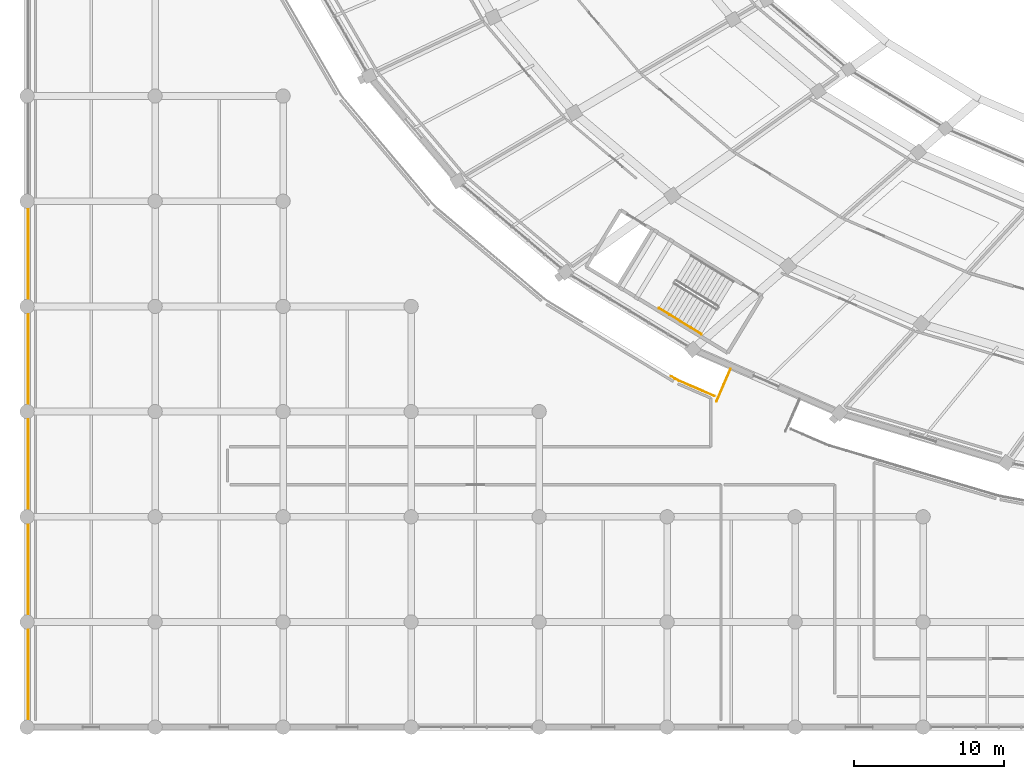
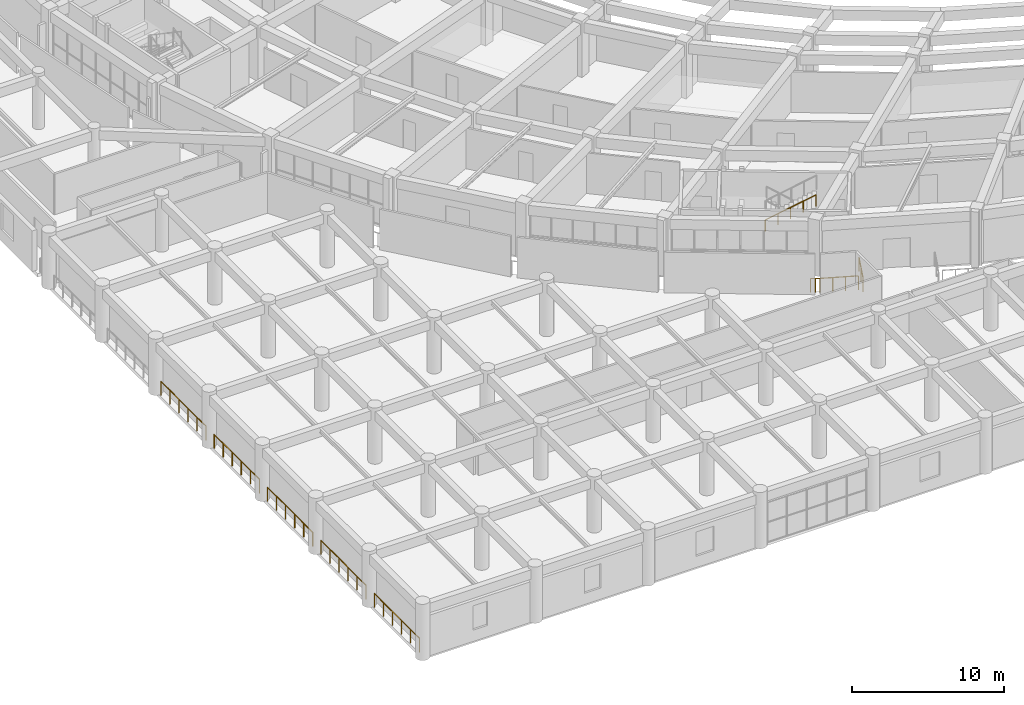
# One storey, part 117 of 145: 8 railings.
"""IFC4 building model written with IfcOpenShell, lengths in metres."""

from ifc_helpers import new_model, si_unit, direction, frame, origin, origin_2d, place, context, subcontext, project, spatial, circle, extrude, material, type_object, element, save


model = new_model("IFC4")

# Units and contexts
model_context = context("Model", 3, precision=1e-05, world=origin(), true_north=direction((0.0, 1.0)))
body_context = subcontext(model_context, "Body", "Model", "MODEL_VIEW")
ifc_project = project(units=[si_unit("LENGTHUNIT", "METRE"), si_unit("AREAUNIT", "SQUARE_METRE"), si_unit("VOLUMEUNIT", "CUBIC_METRE"), si_unit("PLANEANGLEUNIT", "RADIAN"), si_unit("MASSUNIT", "GRAM", prefix="KILO")], contexts=[model_context])

# Site, building, storey
site_placement = place(None, origin())
site = spatial("IfcSite", under=ifc_project, at=site_placement, CompositionType="ELEMENT")
building_placement = place(site_placement, origin())
building = spatial("IfcBuilding", under=site, at=building_placement, Name="Mphavela Belvedere Stadium", CompositionType="ELEMENT")
storey_placement = place(building_placement, frame((0.0, 0.0, 10.199951171875)))
storey = spatial("IfcBuildingStorey", under=building, at=storey_placement, Name="L02", CompositionType="ELEMENT", Elevation=10.199951171875)

# Railings
ifc_material_1 = material(Name="Bronze and laminated glass stadium balustrade", Category="glass")
railing_type_1 = type_object("IfcRailingType", Name="RAL-BALUSTRADE-1120", PredefinedType="BALUSTRADE", material=ifc_material_1)
railing_1_placement = place(storey_placement, frame((46.809814453125, 23.834716796875, 0.0)))
element("IfcRailing", 1, at=railing_1_placement, inside=storey, type_object=railing_type_1, Name="Colonnade link bridge balustrade L02-32A", PredefinedType="BALUSTRADE", context=body_context, shape_type="SweptSolid", body=[
    extrude(circle(Radius=0.02392578125, at=origin_2d()), frame((0.0, 0.0, 1.09619140625), z_axis=(-0.397802772945, -0.91747095531, 0.0), x_axis=(0.91747095531, -0.397802772945, 0.0)), (0.0, 0.0, 1.0), 2.349853515625),
    extrude(circle(Radius=0.02099609375, at=origin_2d()), origin(), (0.0, 0.0, 1.0), 1.072021484375),
    extrude(circle(Radius=0.02099609375, at=origin_2d()), frame((-0.46728515625, -1.078125, 0.0)), (0.0, 0.0, 1.0), 1.072021484375),
    extrude(circle(Radius=0.02099609375, at=origin_2d()), frame((-0.934814453125, -2.156005859375, 0.0)), (0.0, 0.0, 1.0), 1.072021484375),
])
railing_2_placement = place(storey_placement, frame((42.868896484375, 23.34326171875, 0.0)))
element("IfcRailing", 2, at=railing_2_placement, inside=storey, type_object=railing_type_1, Name="Peristyle wing gallery edge balustrade L02-02", PredefinedType="BALUSTRADE", context=body_context, shape_type="SweptSolid", body=[
    extrude(circle(Radius=0.02392578125, at=origin_2d()), frame((0.0, 0.0, 1.09619140625), z_axis=(0.85487840282, -0.518828407464, 0.0), x_axis=(0.518828407464, 0.85487840282, 0.0)), (0.0, 0.0, 1.0), 0.2978515625),
    extrude(circle(Radius=0.02392578125, at=origin_2d()), frame((0.254638671875, -0.154541015625, 1.09619140625), z_axis=(0.887994409277, -0.459854247661, 0.0), x_axis=(0.459854247661, 0.887994409277, 0.0)), (0.0, 0.0, 1.0), 0.307861328125),
    extrude(circle(Radius=0.02392578125, at=origin_2d()), frame((0.528076171875, -0.296142578125, 1.09619140625), z_axis=(0.917490104343, -0.397758605731, 0.0), x_axis=(0.397758605731, 0.917490104343, 0.0)), (0.0, 0.0, 1.0), 2.5380859375),
    extrude(circle(Radius=0.02099609375, at=origin_2d()), origin(), (0.0, 0.0, 1.0), 1.072021484375),
    extrude(circle(Radius=0.02099609375, at=origin_2d()), frame((0.254638671875, -0.154541015625, 0.0)), (0.0, 0.0, 1.0), 1.072021484375),
    extrude(circle(Radius=0.02099609375, at=origin_2d()), frame((0.528076171875, -0.296142578125, 0.0)), (0.0, 0.0, 1.0), 1.072021484375),
    extrude(circle(Radius=0.02099609375, at=origin_2d()), frame((1.30419921875, -0.632568359375, 0.0)), (0.0, 0.0, 1.0), 1.072021484375),
    extrude(circle(Radius=0.02099609375, at=origin_2d()), frame((2.08056640625, -0.96923828125, 0.0)), (0.0, 0.0, 1.0), 1.072021484375),
    extrude(circle(Radius=0.02099609375, at=origin_2d()), frame((2.856689453125, -1.3056640625, 0.0)), (0.0, 0.0, 1.0), 1.072021484375),
])
for number, where, name in (
    (3, (0.080078125, 0.54345703125, 0.0), "Peristyle wing gallery edge balustrade L02-16"),
    (4, (0.080078125, 7.54345703125, 0.0), "Peristyle wing gallery edge balustrade L02-17"),
    (5, (0.080078125, 14.54345703125, 0.0), "Peristyle wing gallery edge balustrade L02-18"),
    (6, (0.080078125, 21.54345703125, 0.0), "Peristyle wing gallery edge balustrade L02-19"),
    (7, (0.080078125, 28.54345703125, 0.0), "Peristyle wing gallery edge balustrade L02-20"),
):
    element("IfcRailing", number, at=place(storey_placement, frame(where)), inside=storey, type_object=railing_type_1, Name=name, PredefinedType="BALUSTRADE", context=body_context, shape_type="SweptSolid", body=[
        extrude(circle(Radius=0.02392578125, at=origin_2d()), frame((0.0, 0.0, 1.09619140625), z_axis=(0.0, 1.0, 0.0), x_axis=(-1.0, 0.0, 0.0)), (0.0, 0.0, 1.0), 5.9130859375),
        extrude(circle(Radius=0.02099609375, at=origin_2d()), origin(), (0.0, 0.0, 1.0), 1.072021484375),
        extrude(circle(Radius=0.02099609375, at=origin_2d()), frame((0.0, 1.1826171875, 0.0)), (0.0, 0.0, 1.0), 1.072021484375),
        extrude(circle(Radius=0.02099609375, at=origin_2d()), frame((0.0, 2.365234375, 0.0)), (0.0, 0.0, 1.0), 1.072021484375),
        extrude(circle(Radius=0.02099609375, at=origin_2d()), frame((0.0, 3.5478515625, 0.0)), (0.0, 0.0, 1.0), 1.072021484375),
        extrude(circle(Radius=0.02099609375, at=origin_2d()), frame((0.0, 4.73046875, 0.0)), (0.0, 0.0, 1.0), 1.072021484375),
        extrude(circle(Radius=0.02099609375, at=origin_2d()), frame((0.0, 5.9130859375, 0.0)), (0.0, 0.0, 1.0), 1.072021484375),
    ])
ifc_material_2 = material(Name="Brushed stainless steel tubular handrail", Category="steel")
railing_type_2 = type_object("IfcRailingType", Name="RAL-HANDRAIL-900", PredefinedType="HANDRAIL", material=ifc_material_2)
railing_3_placement = place(storey_placement, frame((42.0458984375, 27.878662109375, 2.4375)))
element("IfcRailing", 8, at=railing_3_placement, inside=storey, type_object=railing_type_2, Name="L02 ST-C10 stair handrail 2", PredefinedType="HANDRAIL", context=body_context, shape_type="SweptSolid", body=[
    extrude(circle(Radius=0.02392578125, at=origin_2d()), frame((0.0, 0.0, 0.8759765625), z_axis=(0.725842161385, -0.441499348228, 0.527476522957), x_axis=(0.519674131948, 0.854364557191, 0.0)), (0.0, 0.0, 1.0), 3.91015625),
    extrude(circle(Radius=0.02099609375, at=origin_2d()), origin(), (0.0, 0.0, 1.0), 0.851806640625),
    extrude(circle(Radius=0.02099609375, at=origin_2d()), frame((0.70947265625, -0.431640625, 0.515625)), (0.0, 0.0, 1.0), 0.851806640625),
    extrude(circle(Radius=0.02099609375, at=origin_2d()), frame((1.4189453125, -0.86328125, 1.03125)), (0.0, 0.0, 1.0), 0.851806640625),
    extrude(circle(Radius=0.02099609375, at=origin_2d()), frame((2.128662109375, -1.294677734375, 1.546875)), (0.0, 0.0, 1.0), 0.851806640625),
    extrude(circle(Radius=0.02099609375, at=origin_2d()), frame((2.838134765625, -1.726318359375, 2.0625)), (0.0, 0.0, 1.0), 0.851806640625),
])

save(model, "model.ifc")
